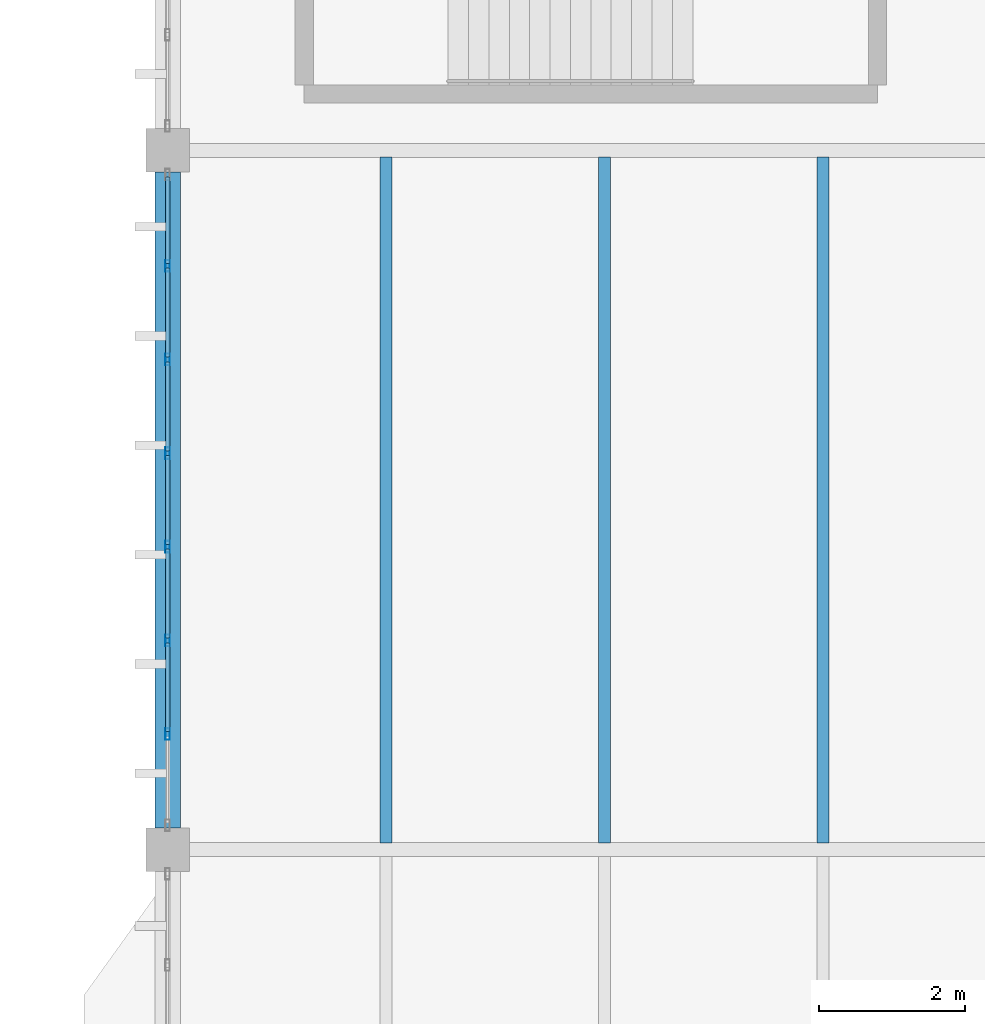
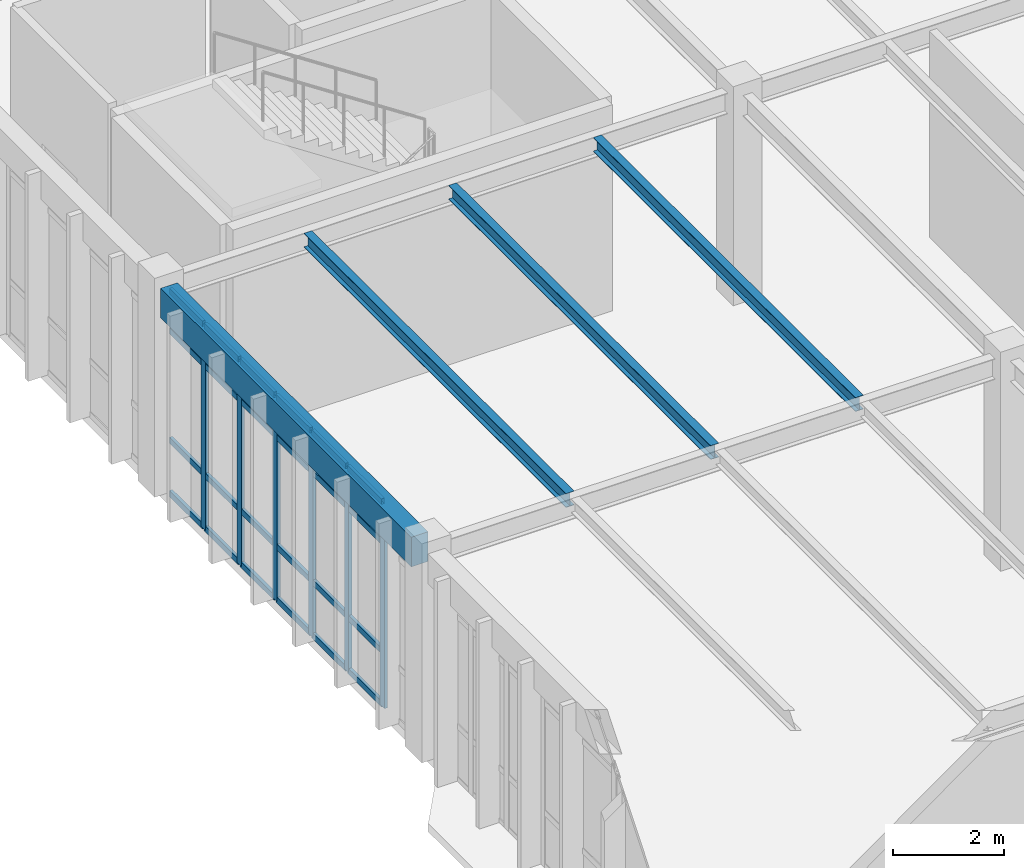
# One storey, part 134 of 236: 30 members, 4 beams, 1 element without a shape of its own.
"""IFC4 building model written with IfcOpenShell, lengths in metres."""

from ifc_helpers import new_model, si_unit, direction, frame, origin, origin_2d, place, context, subcontext, project, spatial, rectangle, hollow_rectangle, i_section, extrude, material, layer, layer_set, material_profile, profile_set, type_object, element, aggregate, save


model = new_model("IFC4")

# Units and contexts
model_context = context("Model", 3, precision=1e-05, world=origin(), true_north=direction((0.0, 1.0)))
body_context = subcontext(model_context, "Body", "Model", "MODEL_VIEW")
ifc_project = project(units=[si_unit("LENGTHUNIT", "METRE"), si_unit("AREAUNIT", "SQUARE_METRE"), si_unit("VOLUMEUNIT", "CUBIC_METRE"), si_unit("PLANEANGLEUNIT", "RADIAN"), si_unit("MASSUNIT", "GRAM", prefix="KILO")], contexts=[model_context])

# Site, building, storey
site_placement = place(None, origin())
site = spatial("IfcSite", under=ifc_project, at=site_placement, CompositionType="ELEMENT")
building_placement = place(site_placement, origin())
building = spatial("IfcBuilding", under=site, at=building_placement, Name="Pandanus Reach Market Hall", CompositionType="ELEMENT")
storey_placement = place(building_placement, frame((0.0, 0.0, 5.39990234375)))
storey = spatial("IfcBuildingStorey", under=building, at=storey_placement, Name="L01", CompositionType="ELEMENT", Elevation=5.39990234375)

# Beam
ifc_material_1 = material(Name="Concrete N40 (40 MPa)", Category="concrete")
ifc_material_profile_1 = material_profile(ifc_material_1, rectangle(XDim=0.35009765625, YDim=0.64990234375, at=origin_2d()), Name="RC350x650", Category="LoadBearing")
ifc_profile_set_1 = profile_set([ifc_material_profile_1], Name="Concrete N40 (40 MPa)")
beam_type_1 = type_object("IfcBeamType", Name="BM-RC350-E", PredefinedType="SPANDREL", material=ifc_profile_set_1)
beam_placement = place(storey_placement, frame((144.0, 38.697998046875, 4.215087890625), z_axis=(0.0, 1.0, 0.0), x_axis=(-1.0, 0.0, 0.0)))
element("IfcBeam", 1, at=beam_placement, inside=storey, type_object=beam_type_1, Name="Framing beam BM-RC350-E L01.339", PredefinedType="SPANDREL", context=body_context, shape_type="SweptSolid", body=[
    extrude(rectangle(XDim=0.35009765625, YDim=0.64990234375, at=origin_2d()), origin(), (0.0, 0.0, 1.0), 9.00390625),
])

# Curtain wall, members
ifc_material_2 = material(Name="Bronze anodised aluminium and low-E glass", Category="aluminium")
ifc_layer = layer(ifc_material_2, 0.159912109375, Name="CW-29")
ifc_layer_set = layer_set([ifc_layer], Name="Bronze anodised aluminium and low-E glass")
curtain_wall_type = type_object("IfcCurtainWallType", Name="CW-29", PredefinedType="NOTDEFINED", material=ifc_layer_set)
curtain_wall_placement = place(storey_placement, origin())
curtain_wall = element("IfcCurtainWall", 2, at=curtain_wall_placement, inside=storey, type_object=curtain_wall_type, Name="Glazed curtain wall CW-29 CW-0094", PredefinedType="NOTDEFINED")
ifc_material_3 = material(Name="Bronze anodised aluminium", Category="aluminium")
ifc_material_profile_2 = material_profile(ifc_material_3, hollow_rectangle(XDim=0.06494140625, YDim=0.159912109375, WallThickness=0.00390625, at=origin_2d()), Name="ALU65x160", Category="LoadBearing")
ifc_profile_set_2 = profile_set([ifc_material_profile_2], Name="Bronze anodised aluminium")
member_type_1 = type_object("IfcMemberType", Name="CW-M1", PredefinedType="MULLION", material=ifc_profile_set_2)
member_1_placement = place(storey_placement, frame((144.0, 39.985595703125, 0.0), z_axis=(0.0, 0.0, 1.0), x_axis=(-1.0, 0.0, 0.0)))
member_1 = element("IfcMember", 3, at=member_1_placement, type_object=member_type_1, Name="CW-29 mullion 2", PredefinedType="MULLION", context=body_context, shape_type="SweptSolid", body=[
    extrude(hollow_rectangle(XDim=0.06494140625, YDim=0.159912109375, WallThickness=0.00390625, at=origin_2d()), origin(), (0.0, 0.0, 1.0), 4.5),
])
member_2_placement = place(storey_placement, frame((144.0, 41.271484375, 0.0), z_axis=(0.0, 0.0, 1.0), x_axis=(-1.0, 0.0, 0.0)))
member_2 = element("IfcMember", 4, at=member_2_placement, type_object=member_type_1, Name="CW-29 mullion 3", PredefinedType="MULLION", context=body_context, shape_type="SweptSolid", body=[
    extrude(hollow_rectangle(XDim=0.06494140625, YDim=0.159912109375, WallThickness=0.00390625, at=origin_2d()), origin(), (0.0, 0.0, 1.0), 4.5),
])
member_3_placement = place(storey_placement, frame((144.0, 42.55712890625, 0.0), z_axis=(0.0, 0.0, 1.0), x_axis=(-1.0, 0.0, 0.0)))
member_3 = element("IfcMember", 5, at=member_3_placement, type_object=member_type_1, Name="CW-29 mullion 4", PredefinedType="MULLION", context=body_context, shape_type="SweptSolid", body=[
    extrude(hollow_rectangle(XDim=0.06494140625, YDim=0.159912109375, WallThickness=0.00390625, at=origin_2d()), origin(), (0.0, 0.0, 1.0), 4.5),
])
member_4_placement = place(storey_placement, frame((144.0, 43.8427734375, 0.0), z_axis=(0.0, 0.0, 1.0), x_axis=(-1.0, 0.0, 0.0)))
member_4 = element("IfcMember", 6, at=member_4_placement, type_object=member_type_1, Name="CW-29 mullion 5", PredefinedType="MULLION", context=body_context, shape_type="SweptSolid", body=[
    extrude(hollow_rectangle(XDim=0.06494140625, YDim=0.159912109375, WallThickness=0.00390625, at=origin_2d()), origin(), (0.0, 0.0, 1.0), 4.5),
])
member_5_placement = place(storey_placement, frame((144.0, 45.128662109375, 0.0), z_axis=(0.0, 0.0, 1.0), x_axis=(-1.0, 0.0, 0.0)))
member_5 = element("IfcMember", 7, at=member_5_placement, type_object=member_type_1, Name="CW-29 mullion 6", PredefinedType="MULLION", context=body_context, shape_type="SweptSolid", body=[
    extrude(hollow_rectangle(XDim=0.06494140625, YDim=0.159912109375, WallThickness=0.00390625, at=origin_2d()), origin(), (0.0, 0.0, 1.0), 4.5),
])
member_6_placement = place(storey_placement, frame((144.0, 46.414306640625, 0.0), z_axis=(0.0, 0.0, 1.0), x_axis=(-1.0, 0.0, 0.0)))
member_6 = element("IfcMember", 8, at=member_6_placement, type_object=member_type_1, Name="CW-29 mullion 7", PredefinedType="MULLION", context=body_context, shape_type="SweptSolid", body=[
    extrude(hollow_rectangle(XDim=0.06494140625, YDim=0.159912109375, WallThickness=0.00390625, at=origin_2d()), origin(), (0.0, 0.0, 1.0), 4.5),
])
ifc_material_profile_3 = material_profile(ifc_material_3, hollow_rectangle(XDim=0.06494140625, YDim=0.1298828125, WallThickness=0.00390625, at=origin_2d()), Name="ALU65x130", Category="LoadBearing")
ifc_profile_set_3 = profile_set([ifc_material_profile_3], Name="Bronze anodised aluminium")
member_type_2 = type_object("IfcMemberType", Name="CW-T1", PredefinedType="USERDEFINED", material=ifc_profile_set_3)
member_7_placement = place(storey_placement, frame((144.0, 40.018310546875, 0.03271484375), z_axis=(0.0, 1.0, 0.0), x_axis=(-1.0, 0.0, 0.0)))
member_7 = element("IfcMember", 9, at=member_7_placement, type_object=member_type_2, Name="CW-29 transom 2.1", ObjectType="TRANSOM", PredefinedType="USERDEFINED", context=body_context, shape_type="SweptSolid", body=[
    extrude(hollow_rectangle(XDim=0.06494140625, YDim=0.1298828125, WallThickness=0.00390625, at=origin_2d()), origin(), (0.0, 0.0, 1.0), 1.220703125),
])
member_8_placement = place(storey_placement, frame((144.0, 40.018310546875, 1.2001953125), z_axis=(0.0, 1.0, 0.0), x_axis=(-1.0, 0.0, 0.0)))
member_8 = element("IfcMember", 10, at=member_8_placement, type_object=member_type_2, Name="CW-29 transom 2.2", ObjectType="TRANSOM", PredefinedType="USERDEFINED", context=body_context, shape_type="SweptSolid", body=[
    extrude(hollow_rectangle(XDim=0.06494140625, YDim=0.1298828125, WallThickness=0.00390625, at=origin_2d()), origin(), (0.0, 0.0, 1.0), 1.220703125),
])
member_9_placement = place(storey_placement, frame((144.0, 40.018310546875, 3.60009765625), z_axis=(0.0, 1.0, 0.0), x_axis=(-1.0, 0.0, 0.0)))
member_9 = element("IfcMember", 11, at=member_9_placement, type_object=member_type_2, Name="CW-29 transom 2.3", ObjectType="TRANSOM", PredefinedType="USERDEFINED", context=body_context, shape_type="SweptSolid", body=[
    extrude(hollow_rectangle(XDim=0.06494140625, YDim=0.1298828125, WallThickness=0.00390625, at=origin_2d()), origin(), (0.0, 0.0, 1.0), 1.220703125),
])
member_10_placement = place(storey_placement, frame((144.0, 40.018310546875, 4.467529296875), z_axis=(0.0, 1.0, 0.0), x_axis=(-1.0, 0.0, 0.0)))
member_10 = element("IfcMember", 12, at=member_10_placement, type_object=member_type_2, Name="CW-29 transom 2.4", ObjectType="TRANSOM", PredefinedType="USERDEFINED", context=body_context, shape_type="SweptSolid", body=[
    extrude(hollow_rectangle(XDim=0.06494140625, YDim=0.1298828125, WallThickness=0.00390625, at=origin_2d()), origin(), (0.0, 0.0, 1.0), 1.220703125),
])
member_11_placement = place(storey_placement, frame((144.0, 41.303955078125, 0.03271484375), z_axis=(0.0, 1.0, 0.0), x_axis=(-1.0, 0.0, 0.0)))
member_11 = element("IfcMember", 13, at=member_11_placement, type_object=member_type_2, Name="CW-29 transom 3.1", ObjectType="TRANSOM", PredefinedType="USERDEFINED", context=body_context, shape_type="SweptSolid", body=[
    extrude(hollow_rectangle(XDim=0.06494140625, YDim=0.1298828125, WallThickness=0.00390625, at=origin_2d()), origin(), (0.0, 0.0, 1.0), 1.220703125),
])
member_12_placement = place(storey_placement, frame((144.0, 41.303955078125, 1.2001953125), z_axis=(0.0, 1.0, 0.0), x_axis=(-1.0, 0.0, 0.0)))
member_12 = element("IfcMember", 14, at=member_12_placement, type_object=member_type_2, Name="CW-29 transom 3.2", ObjectType="TRANSOM", PredefinedType="USERDEFINED", context=body_context, shape_type="SweptSolid", body=[
    extrude(hollow_rectangle(XDim=0.06494140625, YDim=0.1298828125, WallThickness=0.00390625, at=origin_2d()), origin(), (0.0, 0.0, 1.0), 1.220703125),
])
member_13_placement = place(storey_placement, frame((144.0, 41.303955078125, 3.60009765625), z_axis=(0.0, 1.0, 0.0), x_axis=(-1.0, 0.0, 0.0)))
member_13 = element("IfcMember", 15, at=member_13_placement, type_object=member_type_2, Name="CW-29 transom 3.3", ObjectType="TRANSOM", PredefinedType="USERDEFINED", context=body_context, shape_type="SweptSolid", body=[
    extrude(hollow_rectangle(XDim=0.06494140625, YDim=0.1298828125, WallThickness=0.00390625, at=origin_2d()), origin(), (0.0, 0.0, 1.0), 1.220703125),
])
member_14_placement = place(storey_placement, frame((144.0, 41.303955078125, 4.467529296875), z_axis=(0.0, 1.0, 0.0), x_axis=(-1.0, 0.0, 0.0)))
member_14 = element("IfcMember", 16, at=member_14_placement, type_object=member_type_2, Name="CW-29 transom 3.4", ObjectType="TRANSOM", PredefinedType="USERDEFINED", context=body_context, shape_type="SweptSolid", body=[
    extrude(hollow_rectangle(XDim=0.06494140625, YDim=0.1298828125, WallThickness=0.00390625, at=origin_2d()), origin(), (0.0, 0.0, 1.0), 1.220703125),
])
member_15_placement = place(storey_placement, frame((144.0, 42.589599609375, 0.03271484375), z_axis=(0.0, 1.0, 0.0), x_axis=(-1.0, 0.0, 0.0)))
member_15 = element("IfcMember", 17, at=member_15_placement, type_object=member_type_2, Name="CW-29 transom 4.1", ObjectType="TRANSOM", PredefinedType="USERDEFINED", context=body_context, shape_type="SweptSolid", body=[
    extrude(hollow_rectangle(XDim=0.06494140625, YDim=0.1298828125, WallThickness=0.00390625, at=origin_2d()), origin(), (0.0, 0.0, 1.0), 1.220703125),
])
member_16_placement = place(storey_placement, frame((144.0, 42.589599609375, 1.2001953125), z_axis=(0.0, 1.0, 0.0), x_axis=(-1.0, 0.0, 0.0)))
member_16 = element("IfcMember", 18, at=member_16_placement, type_object=member_type_2, Name="CW-29 transom 4.2", ObjectType="TRANSOM", PredefinedType="USERDEFINED", context=body_context, shape_type="SweptSolid", body=[
    extrude(hollow_rectangle(XDim=0.06494140625, YDim=0.1298828125, WallThickness=0.00390625, at=origin_2d()), origin(), (0.0, 0.0, 1.0), 1.220703125),
])
member_17_placement = place(storey_placement, frame((144.0, 42.589599609375, 3.60009765625), z_axis=(0.0, 1.0, 0.0), x_axis=(-1.0, 0.0, 0.0)))
member_17 = element("IfcMember", 19, at=member_17_placement, type_object=member_type_2, Name="CW-29 transom 4.3", ObjectType="TRANSOM", PredefinedType="USERDEFINED", context=body_context, shape_type="SweptSolid", body=[
    extrude(hollow_rectangle(XDim=0.06494140625, YDim=0.1298828125, WallThickness=0.00390625, at=origin_2d()), origin(), (0.0, 0.0, 1.0), 1.220703125),
])
member_18_placement = place(storey_placement, frame((144.0, 42.589599609375, 4.467529296875), z_axis=(0.0, 1.0, 0.0), x_axis=(-1.0, 0.0, 0.0)))
member_18 = element("IfcMember", 20, at=member_18_placement, type_object=member_type_2, Name="CW-29 transom 4.4", ObjectType="TRANSOM", PredefinedType="USERDEFINED", context=body_context, shape_type="SweptSolid", body=[
    extrude(hollow_rectangle(XDim=0.06494140625, YDim=0.1298828125, WallThickness=0.00390625, at=origin_2d()), origin(), (0.0, 0.0, 1.0), 1.220703125),
])
member_19_placement = place(storey_placement, frame((144.0, 43.875244140625, 0.03271484375), z_axis=(0.0, 1.0, 0.0), x_axis=(-1.0, 0.0, 0.0)))
member_19 = element("IfcMember", 21, at=member_19_placement, type_object=member_type_2, Name="CW-29 transom 5.1", ObjectType="TRANSOM", PredefinedType="USERDEFINED", context=body_context, shape_type="SweptSolid", body=[
    extrude(hollow_rectangle(XDim=0.06494140625, YDim=0.1298828125, WallThickness=0.00390625, at=origin_2d()), origin(), (0.0, 0.0, 1.0), 1.220947265625),
])
member_20_placement = place(storey_placement, frame((144.0, 43.875244140625, 1.2001953125), z_axis=(0.0, 1.0, 0.0), x_axis=(-1.0, 0.0, 0.0)))
member_20 = element("IfcMember", 22, at=member_20_placement, type_object=member_type_2, Name="CW-29 transom 5.2", ObjectType="TRANSOM", PredefinedType="USERDEFINED", context=body_context, shape_type="SweptSolid", body=[
    extrude(hollow_rectangle(XDim=0.06494140625, YDim=0.1298828125, WallThickness=0.00390625, at=origin_2d()), origin(), (0.0, 0.0, 1.0), 1.220947265625),
])
member_21_placement = place(storey_placement, frame((144.0, 43.875244140625, 3.60009765625), z_axis=(0.0, 1.0, 0.0), x_axis=(-1.0, 0.0, 0.0)))
member_21 = element("IfcMember", 23, at=member_21_placement, type_object=member_type_2, Name="CW-29 transom 5.3", ObjectType="TRANSOM", PredefinedType="USERDEFINED", context=body_context, shape_type="SweptSolid", body=[
    extrude(hollow_rectangle(XDim=0.06494140625, YDim=0.1298828125, WallThickness=0.00390625, at=origin_2d()), origin(), (0.0, 0.0, 1.0), 1.220947265625),
])
member_22_placement = place(storey_placement, frame((144.0, 43.875244140625, 4.467529296875), z_axis=(0.0, 1.0, 0.0), x_axis=(-1.0, 0.0, 0.0)))
member_22 = element("IfcMember", 24, at=member_22_placement, type_object=member_type_2, Name="CW-29 transom 5.4", ObjectType="TRANSOM", PredefinedType="USERDEFINED", context=body_context, shape_type="SweptSolid", body=[
    extrude(hollow_rectangle(XDim=0.06494140625, YDim=0.1298828125, WallThickness=0.00390625, at=origin_2d()), origin(), (0.0, 0.0, 1.0), 1.220947265625),
])
member_23_placement = place(storey_placement, frame((144.0, 45.1611328125, 0.03271484375), z_axis=(0.0, 1.0, 0.0), x_axis=(-1.0, 0.0, 0.0)))
member_23 = element("IfcMember", 25, at=member_23_placement, type_object=member_type_2, Name="CW-29 transom 6.1", ObjectType="TRANSOM", PredefinedType="USERDEFINED", context=body_context, shape_type="SweptSolid", body=[
    extrude(hollow_rectangle(XDim=0.06494140625, YDim=0.1298828125, WallThickness=0.00390625, at=origin_2d()), origin(), (0.0, 0.0, 1.0), 1.220703125),
])
member_24_placement = place(storey_placement, frame((144.0, 45.1611328125, 1.2001953125), z_axis=(0.0, 1.0, 0.0), x_axis=(-1.0, 0.0, 0.0)))
member_24 = element("IfcMember", 26, at=member_24_placement, type_object=member_type_2, Name="CW-29 transom 6.2", ObjectType="TRANSOM", PredefinedType="USERDEFINED", context=body_context, shape_type="SweptSolid", body=[
    extrude(hollow_rectangle(XDim=0.06494140625, YDim=0.1298828125, WallThickness=0.00390625, at=origin_2d()), origin(), (0.0, 0.0, 1.0), 1.220703125),
])
member_25_placement = place(storey_placement, frame((144.0, 45.1611328125, 3.60009765625), z_axis=(0.0, 1.0, 0.0), x_axis=(-1.0, 0.0, 0.0)))
member_25 = element("IfcMember", 27, at=member_25_placement, type_object=member_type_2, Name="CW-29 transom 6.3", ObjectType="TRANSOM", PredefinedType="USERDEFINED", context=body_context, shape_type="SweptSolid", body=[
    extrude(hollow_rectangle(XDim=0.06494140625, YDim=0.1298828125, WallThickness=0.00390625, at=origin_2d()), origin(), (0.0, 0.0, 1.0), 1.220703125),
])
member_26_placement = place(storey_placement, frame((144.0, 45.1611328125, 4.467529296875), z_axis=(0.0, 1.0, 0.0), x_axis=(-1.0, 0.0, 0.0)))
member_26 = element("IfcMember", 28, at=member_26_placement, type_object=member_type_2, Name="CW-29 transom 6.4", ObjectType="TRANSOM", PredefinedType="USERDEFINED", context=body_context, shape_type="SweptSolid", body=[
    extrude(hollow_rectangle(XDim=0.06494140625, YDim=0.1298828125, WallThickness=0.00390625, at=origin_2d()), origin(), (0.0, 0.0, 1.0), 1.220703125),
])
member_27_placement = place(storey_placement, frame((144.0, 46.44677734375, 0.03271484375), z_axis=(0.0, 1.0, 0.0), x_axis=(-1.0, 0.0, 0.0)))
member_27 = element("IfcMember", 29, at=member_27_placement, type_object=member_type_2, Name="CW-29 transom 7.1", ObjectType="TRANSOM", PredefinedType="USERDEFINED", context=body_context, shape_type="SweptSolid", body=[
    extrude(hollow_rectangle(XDim=0.06494140625, YDim=0.1298828125, WallThickness=0.00390625, at=origin_2d()), origin(), (0.0, 0.0, 1.0), 1.188232421875),
])
member_28_placement = place(storey_placement, frame((144.0, 46.44677734375, 1.2001953125), z_axis=(0.0, 1.0, 0.0), x_axis=(-1.0, 0.0, 0.0)))
member_28 = element("IfcMember", 30, at=member_28_placement, type_object=member_type_2, Name="CW-29 transom 7.2", ObjectType="TRANSOM", PredefinedType="USERDEFINED", context=body_context, shape_type="SweptSolid", body=[
    extrude(hollow_rectangle(XDim=0.06494140625, YDim=0.1298828125, WallThickness=0.00390625, at=origin_2d()), origin(), (0.0, 0.0, 1.0), 1.188232421875),
])
member_29_placement = place(storey_placement, frame((144.0, 46.44677734375, 3.60009765625), z_axis=(0.0, 1.0, 0.0), x_axis=(-1.0, 0.0, 0.0)))
member_29 = element("IfcMember", 31, at=member_29_placement, type_object=member_type_2, Name="CW-29 transom 7.3", ObjectType="TRANSOM", PredefinedType="USERDEFINED", context=body_context, shape_type="SweptSolid", body=[
    extrude(hollow_rectangle(XDim=0.06494140625, YDim=0.1298828125, WallThickness=0.00390625, at=origin_2d()), origin(), (0.0, 0.0, 1.0), 1.188232421875),
])
member_30_placement = place(storey_placement, frame((144.0, 46.44677734375, 4.467529296875), z_axis=(0.0, 1.0, 0.0), x_axis=(-1.0, 0.0, 0.0)))
member_30 = element("IfcMember", 32, at=member_30_placement, type_object=member_type_2, Name="CW-29 transom 7.4", ObjectType="TRANSOM", PredefinedType="USERDEFINED", context=body_context, shape_type="SweptSolid", body=[
    extrude(hollow_rectangle(XDim=0.06494140625, YDim=0.1298828125, WallThickness=0.00390625, at=origin_2d()), origin(), (0.0, 0.0, 1.0), 1.188232421875),
])
aggregate(curtain_wall, [member_1, member_2, member_3, member_4, member_5, member_6, member_7, member_8, member_9, member_10, member_11, member_12, member_13, member_14, member_15, member_16, member_17, member_18, member_19, member_20, member_21, member_22, member_23, member_24, member_25, member_26, member_27, member_28, member_29, member_30])

# Beams
ifc_material_4 = material(Name="Steel Grade 350 (350 MPa)", Category="steel")
ifc_material_profile_4 = material_profile(ifc_material_4, i_section(OverallWidth=0.166015625, OverallDepth=0.306884765625, WebThickness=0.006591796875, FlangeThickness=0.01171875, at=origin_2d()), Name="310UB46.2", Category="LoadBearing")
ifc_profile_set_4 = profile_set([ifc_material_profile_4], Name="Steel Grade 350 (350 MPa)")
beam_type_2 = type_object("IfcBeamType", Name="JS-UB310H-I", PredefinedType="JOIST", material=ifc_profile_set_4)
for number, where, z_axis, x_axis, name in (
    (33, (147.0, 38.492919921875, 4.38623046875), (0.0, 1.0, 0.0), (-1.0, 0.0, 0.0), "Secondary joist JS-UB310H-I L01.381"),
    (34, (150.0, 38.492919921875, 4.38623046875), (0.0, 1.0, 0.0), (-1.0, 0.0, 0.0), "Secondary joist JS-UB310H-I L01.382"),
    (35, (153.0, 38.492919921875, 4.38623046875), (0.0, 1.0, 0.0), (-1.0, 0.0, 0.0), "Secondary joist JS-UB310H-I L01.383"),
):
    element("IfcBeam", number, at=place(storey_placement, frame(where, z_axis=z_axis, x_axis=x_axis)), inside=storey, type_object=beam_type_2, Name=name, PredefinedType="JOIST", context=body_context, shape_type="SweptSolid", body=[
        extrude(i_section(OverallWidth=0.166015625, OverallDepth=0.306884765625, WebThickness=0.006591796875, FlangeThickness=0.01171875, at=origin_2d()), origin(), (0.0, 0.0, 1.0), 9.4140625),
    ])

save(model, "model.ifc")
